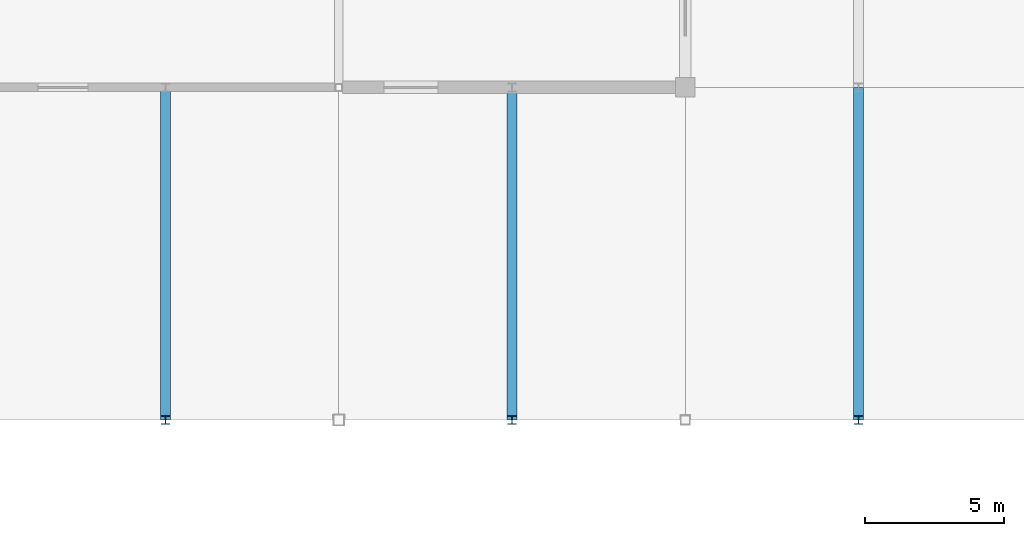
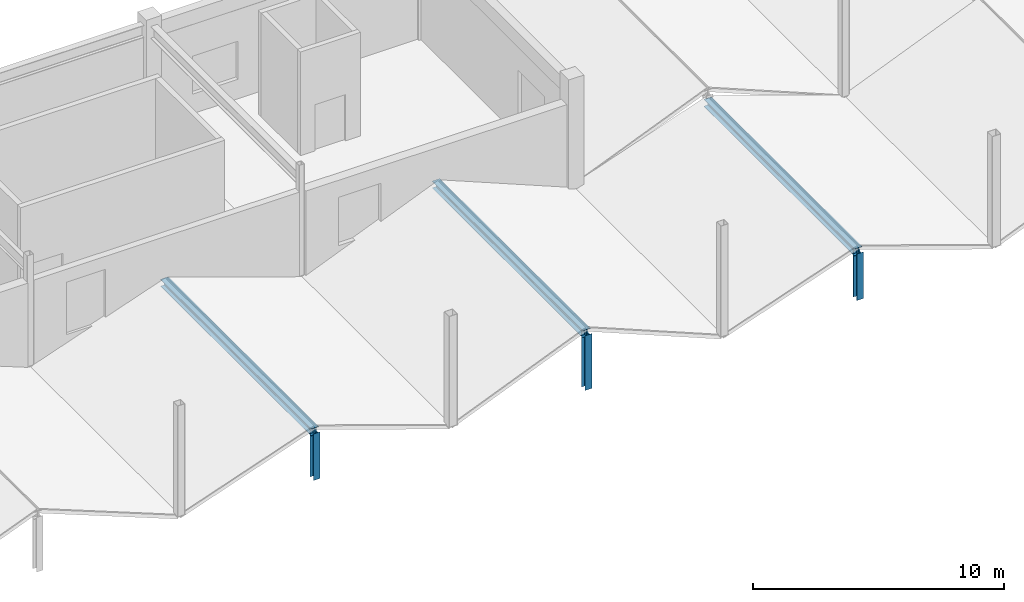
# One storey, part 38 of 76: 6 members.
"""IFC4 building model written with IfcOpenShell, lengths in metres."""

from ifc_helpers import new_model, si_unit, direction, frame, origin, origin_2d, place, context, subcontext, project, spatial, i_section, extrude, material, material_profile, profile_set, type_object, element, save


model = new_model("IFC4")

# Units and contexts
model_context = context("Model", 3, precision=1e-05, world=origin(), true_north=direction((0.0, 1.0)))
body_context = subcontext(model_context, "Body", "Model", "MODEL_VIEW")
ifc_project = project(units=[si_unit("LENGTHUNIT", "METRE"), si_unit("AREAUNIT", "SQUARE_METRE"), si_unit("VOLUMEUNIT", "CUBIC_METRE"), si_unit("PLANEANGLEUNIT", "RADIAN"), si_unit("MASSUNIT", "GRAM", prefix="KILO")], contexts=[model_context])

# Site, building, storey
site_placement = place(None, origin())
site = spatial("IfcSite", under=ifc_project, at=site_placement, CompositionType="ELEMENT")
building_placement = place(site_placement, origin())
building = spatial("IfcBuilding", under=site, at=building_placement, Name="Kazenohara Klinker Stadium", CompositionType="ELEMENT")
storey_placement = place(building_placement, frame((0.0, 0.0, 25.800048828125)))
storey = spatial("IfcBuildingStorey", under=building, at=storey_placement, Name="L05", CompositionType="ELEMENT", Elevation=25.800048828125)

# Members
ifc_material = material(Name="Steel S355", Category="steel")
ifc_material_profile_1 = material_profile(ifc_material, i_section(OverallWidth=0.35009765625, OverallDepth=0.35009765625, WebThickness=0.011962890625, FlangeThickness=0.01904296875, FilletRadius=0.012939453125, at=origin_2d()), Name="H-350x350x12x19")
ifc_profile_set_1 = profile_set([ifc_material_profile_1], Name="Steel S355")
member_type_1 = type_object("IfcMemberType", Name="MEM-CHD02", PredefinedType="CHORD", material=ifc_profile_set_1)
for number, where, z_axis, x_axis, name in (
    (1, (131.25, 132.0, 1.829833984375), (0.0, 1.0, 0.0), (-1.0, 0.0, 0.0), "Stepped pavilion gable ridge beam L05 11/M"),
    (2, (143.75, 132.0, 2.22998046875), (0.0, 1.0, 0.0), (-1.0, 0.0, 0.0), "Stepped pavilion gable ridge beam L05 12/M"),
    (3, (156.25, 132.0, 1.829833984375), (0.0, 1.0, 0.0), (-1.0, 0.0, 0.0), "Stepped pavilion gable ridge beam L05 13/M"),
):
    element("IfcMember", number, at=place(storey_placement, frame(where, z_axis=z_axis, x_axis=x_axis)), inside=storey, type_object=member_type_1, Name=name, PredefinedType="CHORD", context=body_context, shape_type="SweptSolid", body=[
        extrude(i_section(OverallWidth=0.35009765625, OverallDepth=0.35009765625, WebThickness=0.011962890625, FlangeThickness=0.01904296875, FilletRadius=0.012939453125, at=origin_2d()), origin(), (0.0, 0.0, 1.0), 12.0),
    ])
ifc_material_profile_2 = material_profile(ifc_material, i_section(OverallWidth=0.300048828125, OverallDepth=0.300048828125, WebThickness=0.010009765625, FlangeThickness=0.014892578125, FilletRadius=0.012939453125, at=origin_2d()), Name="H-300x300x10x15")
ifc_profile_set_2 = profile_set([ifc_material_profile_2], Name="Steel S355")
member_type_2 = type_object("IfcMemberType", Name="MEM-STR01", PredefinedType="STRUT", material=ifc_profile_set_2)
member_1_placement = place(storey_placement, frame((131.25, 132.0, -0.429931640625), z_axis=(0.0, 0.0, 1.0), x_axis=(1.0, 0.0, 0.0)))
element("IfcMember", 4, at=member_1_placement, inside=storey, type_object=member_type_2, Name="Stepped pavilion gable king-post L05 11/M S", PredefinedType="STRUT", context=body_context, shape_type="SweptSolid", body=[
    extrude(i_section(OverallWidth=0.300048828125, OverallDepth=0.300048828125, WebThickness=0.010009765625, FlangeThickness=0.014892578125, FilletRadius=0.012939453125, at=origin_2d()), origin(), (0.0, 0.0, 1.0), 2.259765625),
])
member_2_placement = place(storey_placement, frame((143.75, 132.0, -0.429931640625), z_axis=(0.0, 0.0, 1.0), x_axis=(1.0, 0.0, 0.0)))
element("IfcMember", 5, at=member_2_placement, inside=storey, type_object=member_type_2, Name="Stepped pavilion gable king-post L05 12/M S", PredefinedType="STRUT", context=body_context, shape_type="SweptSolid", body=[
    extrude(i_section(OverallWidth=0.300048828125, OverallDepth=0.300048828125, WebThickness=0.010009765625, FlangeThickness=0.014892578125, FilletRadius=0.012939453125, at=origin_2d()), origin(), (0.0, 0.0, 1.0), 2.659912109375),
])
member_3_placement = place(storey_placement, frame((156.25, 132.0, -0.429931640625), z_axis=(0.0, 0.0, 1.0), x_axis=(1.0, 0.0, 0.0)))
element("IfcMember", 6, at=member_3_placement, inside=storey, type_object=member_type_2, Name="Stepped pavilion gable king-post L05 13/M S", PredefinedType="STRUT", context=body_context, shape_type="SweptSolid", body=[
    extrude(i_section(OverallWidth=0.300048828125, OverallDepth=0.300048828125, WebThickness=0.010009765625, FlangeThickness=0.014892578125, FilletRadius=0.012939453125, at=origin_2d()), origin(), (0.0, 0.0, 1.0), 2.259765625),
])

save(model, "model.ifc")
